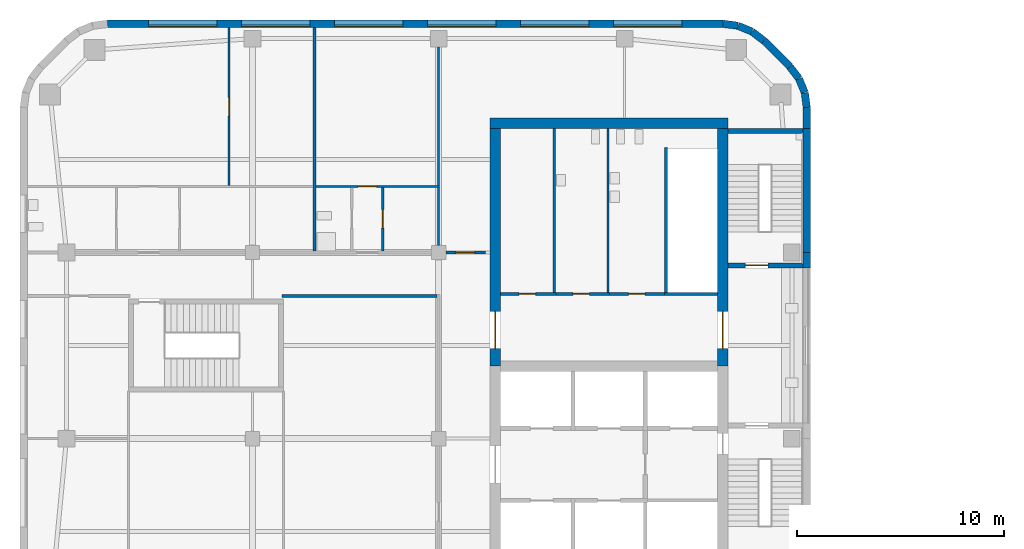
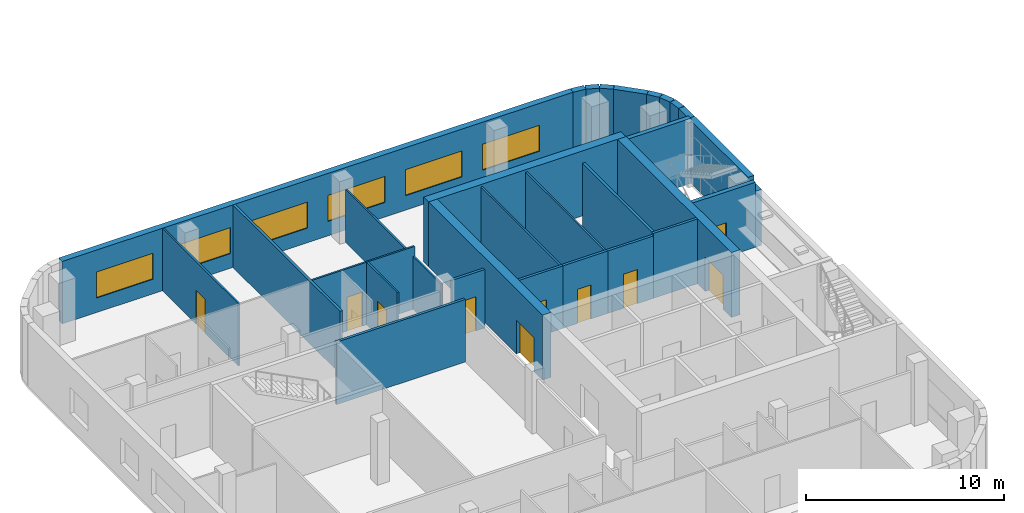
# One storey, part 7 of 15: 31 walls, 10 doors, 6 windows, 16 openings.
"""IFC4 building model written with IfcOpenShell, lengths in metres."""

from ifc_helpers import new_model, si_unit, direction, frame, frame_2d, origin, place, context, subcontext, project, spatial, rectangle, extrude, material, layer, layer_set, type_object, element, fill, save


model = new_model("IFC4")

# Units and contexts
model_context = context("Model", 3, precision=1e-05, world=origin(), true_north=direction((0.0, 1.0)))
body_context = subcontext(model_context, "Body", "Model", "MODEL_VIEW")
ifc_project = project(units=[si_unit("LENGTHUNIT", "METRE"), si_unit("AREAUNIT", "SQUARE_METRE"), si_unit("VOLUMEUNIT", "CUBIC_METRE"), si_unit("PLANEANGLEUNIT", "RADIAN"), si_unit("MASSUNIT", "GRAM", prefix="KILO")], contexts=[model_context])

# Site, building, storey
site_placement = place(None, origin())
site = spatial("IfcSite", under=ifc_project, at=site_placement, CompositionType="ELEMENT")
building_placement = place(site_placement, origin())
building = spatial("IfcBuilding", under=site, at=building_placement, Name="Cinnabar Reach Civic Tower", CompositionType="ELEMENT")
storey_placement = place(building_placement, frame((0.0, 0.0, 67.0)))
storey = spatial("IfcBuildingStorey", under=building, at=storey_placement, Name="L15", CompositionType="ELEMENT", Elevation=67.0)

# Walls
ifc_material_1 = material(Name="Facing brick with insulated backing", Category="masonry")
ifc_layer_1 = layer(ifc_material_1, 0.36)
ifc_layer_set_1 = layer_set([ifc_layer_1], Name="Brick corner wall")
wall_type_1 = type_object("IfcWallType", Name="Brick corner wall", PredefinedType="STANDARD", material=ifc_layer_set_1)
for number, where, z_axis, x_axis, name in (
    (1, (-27.183, 43.0186, 0.0), (0.0, 0.0, 1.0), (-0.13055608231, 0.99144092581, 0.0), "Brick corner wall"),
    (2, (-27.2819, 43.7473, 0.0), (0.0, 0.0, 1.0), (-0.382702709855, 0.923871547278, 0.0), "Brick corner wall"),
):
    element("IfcWall", number, at=place(storey_placement, frame(where, z_axis=z_axis, x_axis=x_axis)), inside=storey, type_object=wall_type_1, Name=name, PredefinedType="STANDARD", context=body_context, shape_type="SweptSolid", body=[
        extrude(rectangle(XDim=0.7131, YDim=0.36, at=frame_2d((0.3565, 0.0))), origin(), (0.0, 0.0, 1.0), 3.85),
    ])
for number, where, z_axis, x_axis, name in (
    (3, (-27.566, 44.4255, 0.0), (0.0, 0.0, 1.0), (-0.608802368033, 0.793321924995, 0.0), "Brick corner wall"),
    (4, (-29.2587, 46.2498, 0.0), (0.0, 0.0, 1.0), (-0.793321924995, 0.608802368033, 0.0), "Brick corner wall"),
):
    element("IfcWall", number, at=place(storey_placement, frame(where, z_axis=z_axis, x_axis=x_axis)), inside=storey, type_object=wall_type_1, Name=name, PredefinedType="STANDARD", context=body_context, shape_type="SweptSolid", body=[
        extrude(rectangle(XDim=0.7132, YDim=0.36, at=frame_2d((0.3566, 0.0))), origin(), (0.0, 0.0, 1.0), 3.85),
    ])
for number, where, z_axis, x_axis, name in (
    (5, (-29.8439, 46.6952, 0.0), (0.0, 0.0, 1.0), (-0.923871547278, 0.382702709855, 0.0), "Brick corner wall"),
    (6, (-30.5244, 46.9739, 0.0), (0.0, 0.0, 1.0), (-0.99144092581, 0.13055608231, 0.0), "Brick corner wall"),
):
    element("IfcWall", number, at=place(storey_placement, frame(where, z_axis=z_axis, x_axis=x_axis)), inside=storey, type_object=wall_type_1, Name=name, PredefinedType="STANDARD", context=body_context, shape_type="SweptSolid", body=[
        extrude(rectangle(XDim=0.7131, YDim=0.36, at=frame_2d((0.3565, 0.0))), origin(), (0.0, 0.0, 1.0), 3.85),
    ])
ifc_layer_2 = layer(ifc_material_1, 0.36)
ifc_layer_set_2 = layer_set([ifc_layer_2], Name="Brick pier and spandrel wall")
wall_type_2 = type_object("IfcWallType", Name="Brick pier and spandrel wall", PredefinedType="STANDARD", material=ifc_layer_set_2)
wall_1_placement = place(storey_placement, frame((-27.18, 35.25, 0.0), z_axis=(0.0, 0.0, 1.0), x_axis=(0.0, 1.0, 0.0)))
element("IfcWall", 7, at=wall_1_placement, inside=storey, type_object=wall_type_2, Name="Brick facade wall", PredefinedType="STANDARD", context=body_context, shape_type="SweptSolid", body=[
    extrude(rectangle(XDim=0.75, YDim=0.36, at=frame_2d((0.375, 0.0))), origin(), (0.0, 0.0, 1.0), 3.436),
])
wall_2_placement = place(storey_placement, frame((-27.18, 36.0, 0.0), z_axis=(0.0, 0.0, 1.0), x_axis=(0.0, 1.0, 0.0)))
element("IfcWall", 8, at=wall_2_placement, inside=storey, type_object=wall_type_2, Name="Brick facade wall", PredefinedType="STANDARD", context=body_context, shape_type="SweptSolid", body=[
    extrude(rectangle(XDim=6.0, YDim=0.36, at=frame_2d((3.0, 0.0))), origin(), (0.0, 0.0, 1.0), 3.85),
])
wall_3_placement = place(storey_placement, frame((-27.18, 42.0, 0.0), z_axis=(0.0, 0.0, 1.0), x_axis=(0.0, 1.0, 0.0)))
element("IfcWall", 9, at=wall_3_placement, inside=storey, type_object=wall_type_2, Name="Brick facade wall", PredefinedType="STANDARD", context=body_context, shape_type="SweptSolid", body=[
    extrude(rectangle(XDim=1.0074, YDim=0.36, at=frame_2d((0.5037, 0.0))), origin(), (0.0, 0.0, 1.0), 3.85),
])
wall_4_placement = place(storey_placement, frame((-28.006, 45.0014, 0.0), z_axis=(0.0, 0.0, 1.0), x_axis=(-0.707106781187, 0.707106781187, 0.0)))
element("IfcWall", 10, at=wall_4_placement, inside=storey, type_object=wall_type_2, Name="Brick facade wall", PredefinedType="STANDARD", context=body_context, shape_type="SweptSolid", body=[
    extrude(rectangle(XDim=1.7573, YDim=0.36, at=frame_2d((0.8787, 0.0))), origin(), (0.0, 0.0, 1.0), 3.85),
])

# Wall, openings, windows
wall_5_placement = place(storey_placement, frame((-31.2426, 47.07, 0.0), z_axis=(0.0, 0.0, 1.0), x_axis=(-1.0, 0.0, 0.0)))
wall_5 = element("IfcWall", 11, at=wall_5_placement, inside=storey, type_object=wall_type_2, Name="Brick facade wall", PredefinedType="STANDARD", context=body_context, shape_type="SweptSolid", body=[
    extrude(rectangle(XDim=29.7648, YDim=0.36, at=frame_2d((14.8824, 0.0))), origin(), (0.0, 0.0, 1.0), 3.85),
])
opening_1_placement = place(wall_5_placement, frame((1.9824, 0.0, 0.9)))
opening_1 = element("IfcOpeningElement", 12, at=opening_1_placement, cuts=wall_5, Name="Opening W2557", PredefinedType="OPENING", context=body_context, shape_type="SweptSolid", body=[
    extrude(rectangle(XDim=3.3, YDim=1.6, at=frame_2d((1.65, 0.8))), frame((0.0, 0.19, 0.0), z_axis=(0.0, -1.0, 0.0), x_axis=(1.0, 0.0, 0.0)), (0.0, 0.0, 1.0), 0.38),
])
opening_2_placement = place(wall_5_placement, frame((6.4824, 0.0, 0.9)))
opening_2 = element("IfcOpeningElement", 13, at=opening_2_placement, cuts=wall_5, Name="Opening W2558", PredefinedType="OPENING", context=body_context, shape_type="SweptSolid", body=[
    extrude(rectangle(XDim=3.3, YDim=1.6, at=frame_2d((1.65, 0.8))), frame((0.0, 0.19, 0.0), z_axis=(0.0, -1.0, 0.0), x_axis=(1.0, 0.0, 0.0)), (0.0, 0.0, 1.0), 0.38),
])
opening_3_placement = place(wall_5_placement, frame((10.9824, 0.0, 0.9)))
opening_3 = element("IfcOpeningElement", 14, at=opening_3_placement, cuts=wall_5, Name="Opening W2559", PredefinedType="OPENING", context=body_context, shape_type="SweptSolid", body=[
    extrude(rectangle(XDim=3.3, YDim=1.6, at=frame_2d((1.65, 0.8))), frame((0.0, 0.19, 0.0), z_axis=(0.0, -1.0, 0.0), x_axis=(1.0, 0.0, 0.0)), (0.0, 0.0, 1.0), 0.38),
])
opening_4_placement = place(wall_5_placement, frame((15.4824, 0.0, 0.9)))
opening_4 = element("IfcOpeningElement", 15, at=opening_4_placement, cuts=wall_5, Name="Opening W2560", PredefinedType="OPENING", context=body_context, shape_type="SweptSolid", body=[
    extrude(rectangle(XDim=3.3, YDim=1.6, at=frame_2d((1.65, 0.8))), frame((0.0, 0.19, 0.0), z_axis=(0.0, -1.0, 0.0), x_axis=(1.0, 0.0, 0.0)), (0.0, 0.0, 1.0), 0.38),
])
opening_5_placement = place(wall_5_placement, frame((19.9824, 0.0, 0.9)))
opening_5 = element("IfcOpeningElement", 16, at=opening_5_placement, cuts=wall_5, Name="Opening W2561", PredefinedType="OPENING", context=body_context, shape_type="SweptSolid", body=[
    extrude(rectangle(XDim=3.3, YDim=1.6, at=frame_2d((1.65, 0.8))), frame((0.0, 0.19, 0.0), z_axis=(0.0, -1.0, 0.0), x_axis=(1.0, 0.0, 0.0)), (0.0, 0.0, 1.0), 0.38),
])
opening_6_placement = place(wall_5_placement, frame((24.4824, 0.0, 0.9)))
opening_6 = element("IfcOpeningElement", 17, at=opening_6_placement, cuts=wall_5, Name="Opening W2562", PredefinedType="OPENING", context=body_context, shape_type="SweptSolid", body=[
    extrude(rectangle(XDim=3.3, YDim=1.6, at=frame_2d((1.65, 0.8))), frame((0.0, 0.19, 0.0), z_axis=(0.0, -1.0, 0.0), x_axis=(1.0, 0.0, 0.0)), (0.0, 0.0, 1.0), 0.38),
])
ifc_material_2 = material(Name="Clear double glazing in aluminium frame", Category="aluminium")
window_type = type_object("IfcWindowType", Name="Deep-set window A", PartitioningType="SINGLE_PANEL", PredefinedType="WINDOW", material=ifc_material_2)
window_1_placement = place(opening_1_placement, origin())
window_1 = element("IfcWindow", 18, at=window_1_placement, inside=storey, type_object=window_type, Name="Window north face", OverallHeight=1.6, OverallWidth=3.3, PartitioningType="SINGLE_PANEL", PredefinedType="WINDOW", context=body_context, shape_type="SweptSolid", body=[
    extrude(rectangle(XDim=3.3, YDim=1.6, at=frame_2d((1.65, 0.8))), frame((0.0, 0.13, 0.0), z_axis=(0.0, -1.0, 0.0), x_axis=(1.0, 0.0, 0.0)), (0.0, 0.0, 1.0), 0.06),
])
fill(opening_1, window_1)
window_2_placement = place(opening_2_placement, origin())
window_2 = element("IfcWindow", 19, at=window_2_placement, inside=storey, type_object=window_type, Name="Window north face", OverallHeight=1.6, OverallWidth=3.3, PartitioningType="SINGLE_PANEL", PredefinedType="WINDOW", context=body_context, shape_type="SweptSolid", body=[
    extrude(rectangle(XDim=3.3, YDim=1.6, at=frame_2d((1.65, 0.8))), frame((0.0, 0.13, 0.0), z_axis=(0.0, -1.0, 0.0), x_axis=(1.0, 0.0, 0.0)), (0.0, 0.0, 1.0), 0.06),
])
fill(opening_2, window_2)
window_3_placement = place(opening_3_placement, origin())
window_3 = element("IfcWindow", 20, at=window_3_placement, inside=storey, type_object=window_type, Name="Window north face", OverallHeight=1.6, OverallWidth=3.3, PartitioningType="SINGLE_PANEL", PredefinedType="WINDOW", context=body_context, shape_type="SweptSolid", body=[
    extrude(rectangle(XDim=3.3, YDim=1.6, at=frame_2d((1.65, 0.8))), frame((0.0, 0.13, 0.0), z_axis=(0.0, -1.0, 0.0), x_axis=(1.0, 0.0, 0.0)), (0.0, 0.0, 1.0), 0.06),
])
fill(opening_3, window_3)
window_4_placement = place(opening_4_placement, origin())
window_4 = element("IfcWindow", 21, at=window_4_placement, inside=storey, type_object=window_type, Name="Window north face", OverallHeight=1.6, OverallWidth=3.3, PartitioningType="SINGLE_PANEL", PredefinedType="WINDOW", context=body_context, shape_type="SweptSolid", body=[
    extrude(rectangle(XDim=3.3, YDim=1.6, at=frame_2d((1.65, 0.8))), frame((0.0, 0.13, 0.0), z_axis=(0.0, -1.0, 0.0), x_axis=(1.0, 0.0, 0.0)), (0.0, 0.0, 1.0), 0.06),
])
fill(opening_4, window_4)
window_5_placement = place(opening_5_placement, origin())
window_5 = element("IfcWindow", 22, at=window_5_placement, inside=storey, type_object=window_type, Name="Window north face", OverallHeight=1.6, OverallWidth=3.3, PartitioningType="SINGLE_PANEL", PredefinedType="WINDOW", context=body_context, shape_type="SweptSolid", body=[
    extrude(rectangle(XDim=3.3, YDim=1.6, at=frame_2d((1.65, 0.8))), frame((0.0, 0.13, 0.0), z_axis=(0.0, -1.0, 0.0), x_axis=(1.0, 0.0, 0.0)), (0.0, 0.0, 1.0), 0.06),
])
fill(opening_5, window_5)
window_6_placement = place(opening_6_placement, origin())
window_6 = element("IfcWindow", 23, at=window_6_placement, inside=storey, type_object=window_type, Name="Window north face", OverallHeight=1.6, OverallWidth=3.3, PartitioningType="SINGLE_PANEL", PredefinedType="WINDOW", context=body_context, shape_type="SweptSolid", body=[
    extrude(rectangle(XDim=3.3, YDim=1.6, at=frame_2d((1.65, 0.8))), frame((0.0, 0.13, 0.0), z_axis=(0.0, -1.0, 0.0), x_axis=(1.0, 0.0, 0.0)), (0.0, 0.0, 1.0), 0.06),
])
fill(opening_6, window_6)

# Wall
ifc_material_3 = material(Name="Concrete C60", Category="concrete")
ifc_layer_3 = layer(ifc_material_3, 0.5)
ifc_layer_set_3 = layer_set([ifc_layer_3], Name="Core wall 500 EI 180")
wall_type_3 = type_object("IfcWallType", Name="Core wall 500 EI 180", PredefinedType="SOLIDWALL", material=ifc_layer_set_3)
wall_6_placement = place(storey_placement, frame((-31.0, 42.25, 0.0), z_axis=(0.0, 0.0, 1.0), x_axis=(-1.0, 0.0, 0.0)))
element("IfcWall", 24, at=wall_6_placement, inside=storey, type_object=wall_type_3, Name="Core wall T2 L15 N", PredefinedType="SOLIDWALL", context=body_context, shape_type="SweptSolid", body=[
    extrude(rectangle(XDim=11.5, YDim=0.5, at=frame_2d((5.75, 0.0))), origin(), (0.0, 0.0, 1.0), 4.0),
])

# Wall, opening, door
wall_7_placement = place(storey_placement, frame((-31.25, 30.5, 0.0), z_axis=(0.0, 0.0, 1.0), x_axis=(0.0, 1.0, 0.0)))
wall_7 = element("IfcWall", 25, at=wall_7_placement, inside=storey, type_object=wall_type_3, Name="Core wall T2 L15 E2", PredefinedType="SOLIDWALL", context=body_context, shape_type="SweptSolid", body=[
    extrude(rectangle(XDim=11.5, YDim=0.5, at=frame_2d((5.75, 0.0))), origin(), (0.0, 0.0, 1.0), 4.0),
])
opening_7_placement = place(wall_7_placement, frame((0.85, 0.0, 0.0)))
opening_7 = element("IfcOpeningElement", 26, at=opening_7_placement, cuts=wall_7, Name="Opening D6569", PredefinedType="OPENING", context=body_context, shape_type="SweptSolid", body=[
    extrude(rectangle(XDim=1.8, YDim=2.1, at=frame_2d((0.9, 1.05))), frame((0.0, 0.26, 0.0), z_axis=(0.0, -1.0, 0.0), x_axis=(1.0, 0.0, 0.0)), (0.0, 0.0, 1.0), 0.52),
])
ifc_material_4 = material(Name="Steel fire door", Category="steel")
door_type_1 = type_object("IfcDoorType", Name="T2 Double door 1800", OperationType="DOUBLE_DOOR_SINGLE_SWING", PredefinedType="DOOR", material=ifc_material_4)
door_1_placement = place(opening_7_placement, origin())
door_1 = element("IfcDoor", 27, at=door_1_placement, inside=storey, type_object=door_type_1, Name="T2 Double door D6569", OperationType="DOUBLE_DOOR_SINGLE_SWING", OverallHeight=2.1, OverallWidth=1.8, PredefinedType="DOOR", context=body_context, shape_type="SweptSolid", body=[
    extrude(rectangle(XDim=1.8, YDim=2.1, at=frame_2d((0.9, 1.05))), frame((0.0, 0.025, 0.0), z_axis=(0.0, -1.0, 0.0), x_axis=(1.0, 0.0, 0.0)), (0.0, 0.0, 1.0), 0.05),
])
fill(opening_7, door_1)

wall_8_placement = place(storey_placement, frame((-42.25, 42.0, 0.0), z_axis=(0.0, 0.0, 1.0), x_axis=(0.0, -1.0, 0.0)))
wall_8 = element("IfcWall", 28, at=wall_8_placement, inside=storey, type_object=wall_type_3, Name="Core wall T2 L15 W", PredefinedType="SOLIDWALL", context=body_context, shape_type="SweptSolid", body=[
    extrude(rectangle(XDim=11.5, YDim=0.5, at=frame_2d((5.75, 0.0))), origin(), (0.0, 0.0, 1.0), 4.0),
])
opening_8_placement = place(wall_8_placement, frame((8.85, 0.0, 0.0)))
opening_8 = element("IfcOpeningElement", 29, at=opening_8_placement, cuts=wall_8, Name="Opening D6571", PredefinedType="OPENING", context=body_context, shape_type="SweptSolid", body=[
    extrude(rectangle(XDim=1.8, YDim=2.1, at=frame_2d((0.9, 1.05))), frame((0.0, 0.26, 0.0), z_axis=(0.0, -1.0, 0.0), x_axis=(1.0, 0.0, 0.0)), (0.0, 0.0, 1.0), 0.52),
])
door_2_placement = place(opening_8_placement, frame((1.8, 0.0, 0.0), z_axis=(0.0, 0.0, 1.0), x_axis=(-1.0, 0.0, 0.0)))
door_2 = element("IfcDoor", 30, at=door_2_placement, inside=storey, type_object=door_type_1, Name="T2 Double door D6571", OperationType="DOUBLE_DOOR_SINGLE_SWING", OverallHeight=2.1, OverallWidth=1.8, PredefinedType="DOOR", context=body_context, shape_type="SweptSolid", body=[
    extrude(rectangle(XDim=1.8, YDim=2.1, at=frame_2d((0.9, 1.05))), frame((0.0, 0.025, 0.0), z_axis=(0.0, -1.0, 0.0), x_axis=(1.0, 0.0, 0.0)), (0.0, 0.0, 1.0), 0.05),
])
fill(opening_8, door_2)

ifc_material_5 = material(Name="Gypsum board on steel studs, double layer", Category="steel")
ifc_layer_4 = layer(ifc_material_5, 0.15)
ifc_layer_set_4 = layer_set([ifc_layer_4], Name="Corridor wall 150 T2")
wall_type_4 = type_object("IfcWallType", Name="Corridor wall 150 T2", PredefinedType="PARTITIONING", material=ifc_layer_set_4)
wall_9_placement = place(storey_placement, frame((-44.65, 36.0, 0.0), z_axis=(0.0, 0.0, 1.0), x_axis=(1.0, 0.0, 0.0)))
wall_9 = element("IfcWall", 31, at=wall_9_placement, inside=storey, type_object=wall_type_4, Name="Corridor wall 5", PredefinedType="PARTITIONING", context=body_context, shape_type="SweptSolid", body=[
    extrude(rectangle(XDim=1.925, YDim=0.15, at=frame_2d((0.9625, 0.0))), origin(), (0.0, 0.0, 1.0), 3.602),
])
opening_9_placement = place(wall_9_placement, frame((0.5, 0.0, 0.0)))
opening_9 = element("IfcOpeningElement", 32, at=opening_9_placement, cuts=wall_9, Name="Opening D6575", PredefinedType="OPENING", context=body_context, shape_type="SweptSolid", body=[
    extrude(rectangle(XDim=0.9, YDim=2.1, at=frame_2d((0.45, 1.05))), frame((0.0, 0.085, 0.0), z_axis=(0.0, -1.0, 0.0), x_axis=(1.0, 0.0, 0.0)), (0.0, 0.0, 1.0), 0.17),
])
ifc_material_6 = material(Name="Timber door leaf in steel frame", Category="steel")
door_type_2 = type_object("IfcDoorType", Name="Single swing door 900 x 2100 T2", OperationType="SINGLE_SWING_LEFT", PredefinedType="DOOR", material=ifc_material_6)
door_3_placement = place(opening_9_placement, origin())
door_3 = element("IfcDoor", 33, at=door_3_placement, inside=storey, type_object=door_type_2, Name="Door D6575", OperationType="SINGLE_SWING_LEFT", OverallHeight=2.1, OverallWidth=0.9, PredefinedType="DOOR", context=body_context, shape_type="SweptSolid", body=[
    extrude(rectangle(XDim=0.9, YDim=2.1, at=frame_2d((0.45, 1.05))), frame((0.0, 0.025, 0.0), z_axis=(0.0, -1.0, 0.0), x_axis=(1.0, 0.0, 0.0)), (0.0, 0.0, 1.0), 0.05),
])
fill(opening_9, door_3)

# Wall
wall_10_placement = place(storey_placement, frame((-52.575, 33.9, 0.0), z_axis=(0.0, 0.0, 1.0), x_axis=(1.0, 0.0, 0.0)))
element("IfcWall", 34, at=wall_10_placement, inside=storey, type_object=wall_type_4, Name="Corridor wall 12", PredefinedType="PARTITIONING", context=body_context, shape_type="SweptSolid", body=[
    extrude(rectangle(XDim=7.5, YDim=0.15, at=frame_2d((3.75, 0.0))), origin(), (0.0, 0.0, 1.0), 3.85),
])

# Wall, opening, door
ifc_material_7 = material(Name="Gypsum board on steel studs", Category="steel")
ifc_layer_5 = layer(ifc_material_7, 0.1)
ifc_layer_set_5 = layer_set([ifc_layer_5], Name="Partition wall 100 T2")
wall_type_5 = type_object("IfcWallType", Name="Partition wall 100 T2", PredefinedType="PARTITIONING", material=ifc_layer_set_5)
wall_11_placement = place(storey_placement, frame((-50.925, 39.2, 0.0), z_axis=(0.0, 0.0, 1.0), x_axis=(1.0, 0.0, 0.0)))
wall_11 = element("IfcWall", 35, at=wall_11_placement, inside=storey, type_object=wall_type_5, Name="Partition wall 16", PredefinedType="PARTITIONING", context=body_context, shape_type="SweptSolid", body=[
    extrude(rectangle(XDim=5.975, YDim=0.1, at=frame_2d((2.9875, 0.0))), origin(), (0.0, 0.0, 1.0), 3.85),
])
opening_10_placement = place(wall_11_placement, frame((2.025, 0.0, 0.0)))
opening_10 = element("IfcOpeningElement", 36, at=opening_10_placement, cuts=wall_11, Name="Opening D6593", PredefinedType="OPENING", context=body_context, shape_type="SweptSolid", body=[
    extrude(rectangle(XDim=0.9, YDim=2.1, at=frame_2d((0.45, 1.05))), frame((0.0, 0.06, 0.0), z_axis=(0.0, -1.0, 0.0), x_axis=(1.0, 0.0, 0.0)), (0.0, 0.0, 1.0), 0.12),
])
door_4_placement = place(opening_10_placement, frame((0.9, 0.0, 0.0), z_axis=(0.0, 0.0, 1.0), x_axis=(-1.0, 0.0, 0.0)))
door_4 = element("IfcDoor", 37, at=door_4_placement, inside=storey, type_object=door_type_2, Name="Door D6593", OperationType="SINGLE_SWING_RIGHT", OverallHeight=2.1, OverallWidth=0.9, PredefinedType="DOOR", context=body_context, shape_type="SweptSolid", body=[
    extrude(rectangle(XDim=0.9, YDim=2.1, at=frame_2d((0.45, 1.05))), frame((0.0, 0.025, 0.0), z_axis=(0.0, -1.0, 0.0), x_axis=(1.0, 0.0, 0.0)), (0.0, 0.0, 1.0), 0.05),
])
fill(opening_10, door_4)

# Walls
wall_12_placement = place(storey_placement, frame((-45.0, 39.25, 0.0), z_axis=(0.0, 0.0, 1.0), x_axis=(0.0, 1.0, 0.0)))
element("IfcWall", 38, at=wall_12_placement, inside=storey, type_object=wall_type_5, Name="Partition wall 20", PredefinedType="PARTITIONING", context=body_context, shape_type="SweptSolid", body=[
    extrude(rectangle(XDim=6.7, YDim=0.1, at=frame_2d((3.35, 0.0))), origin(), (0.0, 0.0, 1.0), 3.256),
])
wall_13_placement = place(storey_placement, frame((-45.0, 36.35, 0.0), z_axis=(0.0, 0.0, 1.0), x_axis=(0.0, 1.0, 0.0)))
element("IfcWall", 39, at=wall_13_placement, inside=storey, type_object=wall_type_5, Name="Partition wall 21", PredefinedType="PARTITIONING", context=body_context, shape_type="SweptSolid", body=[
    extrude(rectangle(XDim=2.8, YDim=0.1, at=frame_2d((1.4, 0.0))), origin(), (0.0, 0.0, 1.0), 3.256),
])

# Wall, opening, door
wall_14_placement = place(storey_placement, frame((-55.13, 39.25, 0.0), z_axis=(0.0, 0.0, 1.0), x_axis=(0.0, 1.0, 0.0)))
wall_14 = element("IfcWall", 40, at=wall_14_placement, inside=storey, type_object=wall_type_5, Name="Partition wall 28", PredefinedType="PARTITIONING", context=body_context, shape_type="SweptSolid", body=[
    extrude(rectangle(XDim=7.64, YDim=0.1, at=frame_2d((3.82, 0.0))), origin(), (0.0, 0.0, 1.0), 3.85),
])
opening_11_placement = place(wall_14_placement, frame((3.35, 0.0, 0.0)))
opening_11 = element("IfcOpeningElement", 41, at=opening_11_placement, cuts=wall_14, Name="Opening D6589", PredefinedType="OPENING", context=body_context, shape_type="SweptSolid", body=[
    extrude(rectangle(XDim=0.9, YDim=2.1, at=frame_2d((0.45, 1.05))), frame((0.0, 0.06, 0.0), z_axis=(0.0, -1.0, 0.0), x_axis=(1.0, 0.0, 0.0)), (0.0, 0.0, 1.0), 0.12),
])
door_5_placement = place(opening_11_placement, frame((0.9, 0.0, 0.0), z_axis=(0.0, 0.0, 1.0), x_axis=(-1.0, 0.0, 0.0)))
door_5 = element("IfcDoor", 42, at=door_5_placement, inside=storey, type_object=door_type_2, Name="Door D6589", OperationType="SINGLE_SWING_LEFT", OverallHeight=2.1, OverallWidth=0.9, PredefinedType="DOOR", context=body_context, shape_type="SweptSolid", body=[
    extrude(rectangle(XDim=0.9, YDim=2.1, at=frame_2d((0.45, 1.05))), frame((0.0, 0.025, 0.0), z_axis=(0.0, -1.0, 0.0), x_axis=(1.0, 0.0, 0.0)), (0.0, 0.0, 1.0), 0.05),
])
fill(opening_11, door_5)

wall_15_placement = place(storey_placement, frame((-47.7, 36.075, 0.0), z_axis=(0.0, 0.0, 1.0), x_axis=(0.0, 1.0, 0.0)))
wall_15 = element("IfcWall", 43, at=wall_15_placement, inside=storey, type_object=wall_type_5, Name="Partition wall 34", PredefinedType="PARTITIONING", context=body_context, shape_type="SweptSolid", body=[
    extrude(rectangle(XDim=3.075, YDim=0.1, at=frame_2d((1.5375, 0.0))), origin(), (0.0, 0.0, 1.0), 3.85),
])
opening_12_placement = place(wall_15_placement, frame((1.1, 0.0, 0.0)))
opening_12 = element("IfcOpeningElement", 44, at=opening_12_placement, cuts=wall_15, Name="Opening D6592", PredefinedType="OPENING", context=body_context, shape_type="SweptSolid", body=[
    extrude(rectangle(XDim=0.9, YDim=2.1, at=frame_2d((0.45, 1.05))), frame((0.0, 0.06, 0.0), z_axis=(0.0, -1.0, 0.0), x_axis=(1.0, 0.0, 0.0)), (0.0, 0.0, 1.0), 0.12),
])
door_6_placement = place(opening_12_placement, origin())
door_6 = element("IfcDoor", 45, at=door_6_placement, inside=storey, type_object=door_type_2, Name="Door D6592", OperationType="SINGLE_SWING_LEFT", OverallHeight=2.1, OverallWidth=0.9, PredefinedType="DOOR", context=body_context, shape_type="SweptSolid", body=[
    extrude(rectangle(XDim=0.9, YDim=2.1, at=frame_2d((0.45, 1.05))), frame((0.0, 0.025, 0.0), z_axis=(0.0, -1.0, 0.0), x_axis=(1.0, 0.0, 0.0)), (0.0, 0.0, 1.0), 0.05),
])
fill(opening_12, door_6)

ifc_layer_6 = layer(ifc_material_3, 0.25)
ifc_layer_set_6 = layer_set([ifc_layer_6], Name="Stair shaft wall 250 EI 120")
wall_type_6 = type_object("IfcWallType", Name="Stair shaft wall 250 EI 120", PredefinedType="SOLIDWALL", material=ifc_layer_set_6)
wall_16_placement = place(storey_placement, frame((-31.0, 35.375, 0.0), z_axis=(0.0, 0.0, 1.0), x_axis=(1.0, 0.0, 0.0)))
wall_16 = element("IfcWall", 46, at=wall_16_placement, inside=storey, type_object=wall_type_6, Name="Stair shaft wall T2-S2 L15", PredefinedType="SOLIDWALL", context=body_context, shape_type="SweptSolid", body=[
    extrude(rectangle(XDim=3.64, YDim=0.25, at=frame_2d((1.82, 0.0))), origin(), (0.0, 0.0, 1.0), 4.0),
])
opening_13_placement = place(wall_16_placement, frame((0.85, 0.0, 0.0)))
opening_13 = element("IfcOpeningElement", 47, at=opening_13_placement, cuts=wall_16, Name="Opening D6568", PredefinedType="OPENING", context=body_context, shape_type="SweptSolid", body=[
    extrude(rectangle(XDim=1.1, YDim=2.1, at=frame_2d((0.55, 1.05))), frame((0.0, 0.135, 0.0), z_axis=(0.0, -1.0, 0.0), x_axis=(1.0, 0.0, 0.0)), (0.0, 0.0, 1.0), 0.27),
])
door_type_3 = type_object("IfcDoorType", Name="T2 Stair door 1100", OperationType="SINGLE_SWING_LEFT", PredefinedType="DOOR", material=ifc_material_4)
door_7_placement = place(opening_13_placement, origin())
door_7 = element("IfcDoor", 48, at=door_7_placement, inside=storey, type_object=door_type_3, Name="T2 Stair door D6568", OperationType="SINGLE_SWING_LEFT", OverallHeight=2.1, OverallWidth=1.1, PredefinedType="DOOR", context=body_context, shape_type="SweptSolid", body=[
    extrude(rectangle(XDim=1.1, YDim=2.1, at=frame_2d((0.55, 1.05))), frame((0.0, 0.025, 0.0), z_axis=(0.0, -1.0, 0.0), x_axis=(1.0, 0.0, 0.0)), (0.0, 0.0, 1.0), 0.05),
])
fill(opening_13, door_7)

# Wall
wall_17_placement = place(storey_placement, frame((-27.36, 41.875, 0.0), z_axis=(0.0, 0.0, 1.0), x_axis=(-1.0, 0.0, 0.0)))
element("IfcWall", 49, at=wall_17_placement, inside=storey, type_object=wall_type_6, Name="Stair shaft wall T2-S2 L15", PredefinedType="SOLIDWALL", context=body_context, shape_type="SweptSolid", body=[
    extrude(rectangle(XDim=3.64, YDim=0.25, at=frame_2d((1.82, 0.0))), origin(), (0.0, 0.0, 1.0), 4.0),
])

# Wall, opening, door
ifc_material_8 = material(Name="Masonry block partition", Category="masonry")
ifc_layer_7 = layer(ifc_material_8, 0.15)
ifc_layer_set_7 = layer_set([ifc_layer_7], Name="T2 Corridor wall 150")
wall_type_7 = type_object("IfcWallType", Name="T2 Corridor wall 150", PredefinedType="PARTITIONING", material=ifc_layer_set_7)
wall_18_placement = place(storey_placement, frame((-39.325, 34.0, 0.0), z_axis=(0.0, 0.0, 1.0), x_axis=(-1.0, 0.0, 0.0)))
wall_18 = element("IfcWall", 50, at=wall_18_placement, inside=storey, type_object=wall_type_7, Name="T2 Corridor wall L15 014", PredefinedType="PARTITIONING", context=body_context, shape_type="SweptSolid", body=[
    extrude(rectangle(XDim=2.675, YDim=0.15, at=frame_2d((1.3375, 0.0))), origin(), (0.0, 0.0, 1.0), 3.85),
])
opening_14_placement = place(wall_18_placement, frame((0.975, 0.0, 0.0)))
opening_14 = element("IfcOpeningElement", 51, at=opening_14_placement, cuts=wall_18, Name="Opening D6572", PredefinedType="OPENING", context=body_context, shape_type="SweptSolid", body=[
    extrude(rectangle(XDim=0.8, YDim=2.1, at=frame_2d((0.4, 1.05))), frame((0.0, 0.085, 0.0), z_axis=(0.0, -1.0, 0.0), x_axis=(1.0, 0.0, 0.0)), (0.0, 0.0, 1.0), 0.17),
])
ifc_material_9 = material(Name="Timber door leaf", Category="wood")
door_type_4 = type_object("IfcDoorType", Name="T2 Bathroom door 800", OperationType="SINGLE_SWING_LEFT", PredefinedType="DOOR", material=ifc_material_9)
door_8_placement = place(opening_14_placement, frame((0.8, 0.0, 0.0), z_axis=(0.0, 0.0, 1.0), x_axis=(-1.0, 0.0, 0.0)))
door_8 = element("IfcDoor", 52, at=door_8_placement, inside=storey, type_object=door_type_4, Name="T2 Bathroom door D6572", OperationType="SINGLE_SWING_LEFT", OverallHeight=2.1, OverallWidth=0.8, PredefinedType="DOOR", context=body_context, shape_type="SweptSolid", body=[
    extrude(rectangle(XDim=0.8, YDim=2.1, at=frame_2d((0.4, 1.05))), frame((0.0, 0.025, 0.0), z_axis=(0.0, -1.0, 0.0), x_axis=(1.0, 0.0, 0.0)), (0.0, 0.0, 1.0), 0.05),
])
fill(opening_14, door_8)

wall_19_placement = place(storey_placement, frame((-36.725, 34.0, 0.0), z_axis=(0.0, 0.0, 1.0), x_axis=(-1.0, 0.0, 0.0)))
wall_19 = element("IfcWall", 53, at=wall_19_placement, inside=storey, type_object=wall_type_7, Name="T2 Corridor wall L15 015", PredefinedType="PARTITIONING", context=body_context, shape_type="SweptSolid", body=[
    extrude(rectangle(XDim=2.6, YDim=0.15, at=frame_2d((1.3, 0.0))), origin(), (0.0, 0.0, 1.0), 3.85),
])
opening_15_placement = place(wall_19_placement, frame((0.975, 0.0, 0.0)))
opening_15 = element("IfcOpeningElement", 54, at=opening_15_placement, cuts=wall_19, Name="Opening D6573", PredefinedType="OPENING", context=body_context, shape_type="SweptSolid", body=[
    extrude(rectangle(XDim=0.8, YDim=2.1, at=frame_2d((0.4, 1.05))), frame((0.0, 0.085, 0.0), z_axis=(0.0, -1.0, 0.0), x_axis=(1.0, 0.0, 0.0)), (0.0, 0.0, 1.0), 0.17),
])
door_9_placement = place(opening_15_placement, frame((0.8, 0.0, 0.0), z_axis=(0.0, 0.0, 1.0), x_axis=(-1.0, 0.0, 0.0)))
door_9 = element("IfcDoor", 55, at=door_9_placement, inside=storey, type_object=door_type_4, Name="T2 Bathroom door D6573", OperationType="SINGLE_SWING_LEFT", OverallHeight=2.1, OverallWidth=0.8, PredefinedType="DOOR", context=body_context, shape_type="SweptSolid", body=[
    extrude(rectangle(XDim=0.8, YDim=2.1, at=frame_2d((0.4, 1.05))), frame((0.0, 0.025, 0.0), z_axis=(0.0, -1.0, 0.0), x_axis=(1.0, 0.0, 0.0)), (0.0, 0.0, 1.0), 0.05),
])
fill(opening_15, door_9)

wall_20_placement = place(storey_placement, frame((-34.075, 34.0, 0.0), z_axis=(0.0, 0.0, 1.0), x_axis=(-1.0, 0.0, 0.0)))
wall_20 = element("IfcWall", 56, at=wall_20_placement, inside=storey, type_object=wall_type_7, Name="T2 Corridor wall L15 016", PredefinedType="PARTITIONING", context=body_context, shape_type="SweptSolid", body=[
    extrude(rectangle(XDim=2.65, YDim=0.15, at=frame_2d((1.325, 0.0))), origin(), (0.0, 0.0, 1.0), 3.85),
])
opening_16_placement = place(wall_20_placement, frame((0.925, 0.0, 0.0)))
opening_16 = element("IfcOpeningElement", 57, at=opening_16_placement, cuts=wall_20, Name="Opening D6574", PredefinedType="OPENING", context=body_context, shape_type="SweptSolid", body=[
    extrude(rectangle(XDim=0.8, YDim=2.1, at=frame_2d((0.4, 1.05))), frame((0.0, 0.085, 0.0), z_axis=(0.0, -1.0, 0.0), x_axis=(1.0, 0.0, 0.0)), (0.0, 0.0, 1.0), 0.17),
])
door_10_placement = place(opening_16_placement, frame((0.8, 0.0, 0.0), z_axis=(0.0, 0.0, 1.0), x_axis=(-1.0, 0.0, 0.0)))
door_10 = element("IfcDoor", 58, at=door_10_placement, inside=storey, type_object=door_type_4, Name="T2 Bathroom door D6574", OperationType="SINGLE_SWING_RIGHT", OverallHeight=2.1, OverallWidth=0.8, PredefinedType="DOOR", context=body_context, shape_type="SweptSolid", body=[
    extrude(rectangle(XDim=0.8, YDim=2.1, at=frame_2d((0.4, 1.05))), frame((0.0, 0.025, 0.0), z_axis=(0.0, -1.0, 0.0), x_axis=(1.0, 0.0, 0.0)), (0.0, 0.0, 1.0), 0.05),
])
fill(opening_16, door_10)

# Walls
ifc_material_10 = material(Name="Gypsum board partition")
ifc_layer_8 = layer(ifc_material_10, 0.1)
ifc_layer_set_8 = layer_set([ifc_layer_8], Name="T2 Internal partition 100")
wall_type_8 = type_object("IfcWallType", Name="T2 Internal partition 100", PredefinedType="PARTITIONING", material=ifc_layer_set_8)
for number, where, z_axis, x_axis, name in (
    (59, (-39.4, 34.075, 0.0), (0.0, 0.0, 1.0), (0.0, 1.0, 0.0), "T2 Internal partition L15 017"),
    (60, (-36.8, 34.075, 0.0), (0.0, 0.0, 1.0), (0.0, 1.0, 0.0), "T2 Internal partition L15 018"),
):
    element("IfcWall", number, at=place(storey_placement, frame(where, z_axis=z_axis, x_axis=x_axis)), inside=storey, type_object=wall_type_8, Name=name, PredefinedType="PARTITIONING", context=body_context, shape_type="SweptSolid", body=[
        extrude(rectangle(XDim=7.925, YDim=0.1, at=frame_2d((3.9625, 0.0))), origin(), (0.0, 0.0, 1.0), 3.85),
    ])
ifc_material_11 = material(Name="Concrete C40", Category="concrete")
ifc_layer_9 = layer(ifc_material_11, 0.15)
ifc_layer_set_9 = layer_set([ifc_layer_9], Name="T2 Riser wall 150")
wall_type_9 = type_object("IfcWallType", Name="T2 Riser wall 150", PredefinedType="SOLIDWALL", material=ifc_layer_set_9)
wall_21_placement = place(storey_placement, frame((-34.075, 34.0, 0.0), z_axis=(0.0, 0.0, 1.0), x_axis=(1.0, 0.0, 0.0)))
element("IfcWall", 61, at=wall_21_placement, inside=storey, type_object=wall_type_9, Name="T2 Riser wall L15 012", PredefinedType="SOLIDWALL", context=body_context, shape_type="SweptSolid", body=[
    extrude(rectangle(XDim=2.575, YDim=0.15, at=frame_2d((1.2875, 0.0))), origin(), (0.0, 0.0, 1.0), 4.0),
])
wall_22_placement = place(storey_placement, frame((-34.0, 41.075, 0.0), z_axis=(0.0, 0.0, 1.0), x_axis=(0.0, -1.0, 0.0)))
element("IfcWall", 62, at=wall_22_placement, inside=storey, type_object=wall_type_9, Name="T2 Riser wall L15 013", PredefinedType="SOLIDWALL", context=body_context, shape_type="SweptSolid", body=[
    extrude(rectangle(XDim=7.0, YDim=0.15, at=frame_2d((3.5, 0.0))), origin(), (0.0, 0.0, 1.0), 4.0),
])
ifc_layer_10 = layer(ifc_material_5, 0.15)
ifc_layer_set_10 = layer_set([ifc_layer_10], Name="Tenancy separating wall 150 T2")
wall_type_10 = type_object("IfcWallType", Name="Tenancy separating wall 150 T2", PredefinedType="PARTITIONING", material=ifc_layer_set_10)
wall_23_placement = place(storey_placement, frame((-51.0, 36.075, 0.0), z_axis=(0.0, 0.0, 1.0), x_axis=(0.0, 1.0, 0.0)))
element("IfcWall", 63, at=wall_23_placement, inside=storey, type_object=wall_type_10, Name="Tenancy separating wall 14", PredefinedType="PARTITIONING", context=body_context, shape_type="SweptSolid", body=[
    extrude(rectangle(XDim=10.815, YDim=0.15, at=frame_2d((5.4075, 0.0))), origin(), (0.0, 0.0, 1.0), 3.85),
])

save(model, "model.ifc")
